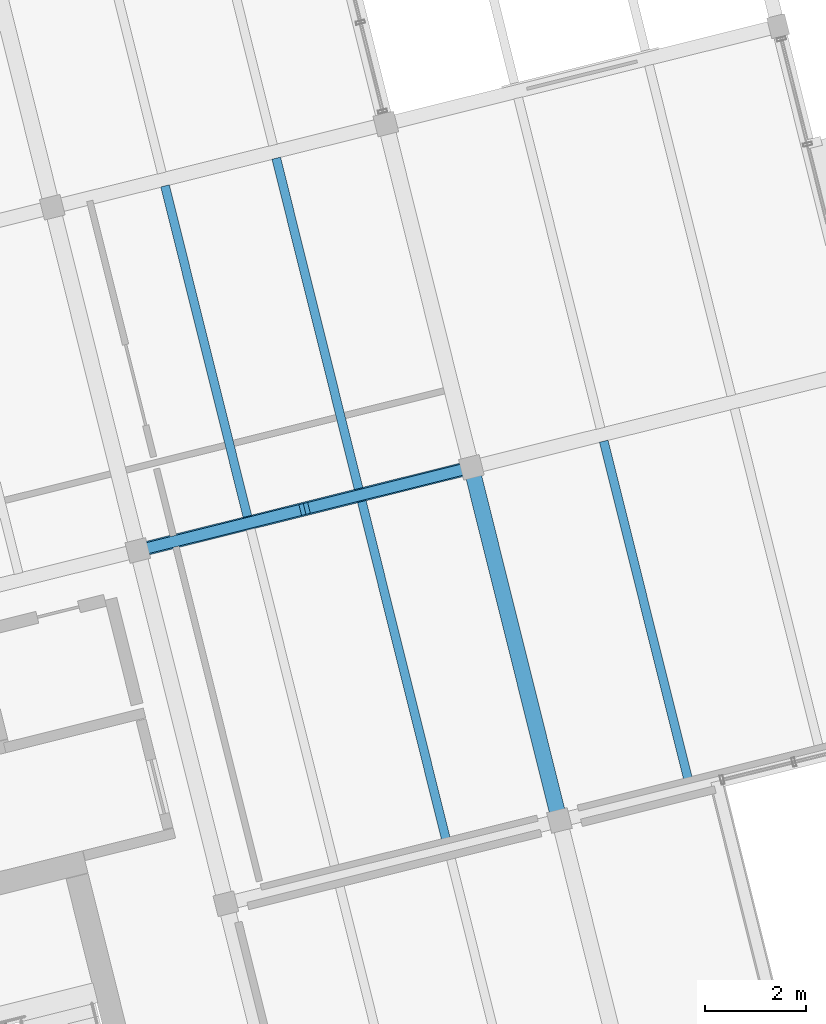
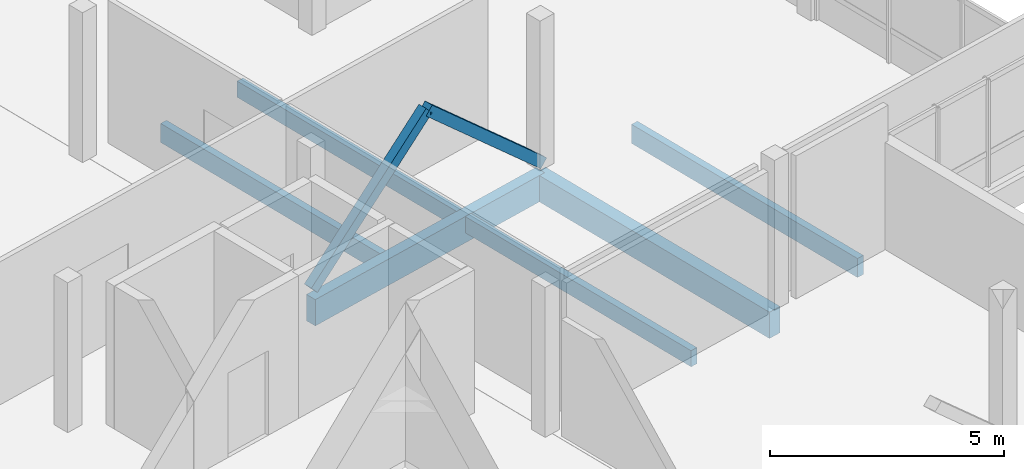
# One storey, part 14 of 27: 6 beams, 2 members.
"""IFC4 building model written with IfcOpenShell, lengths in metres."""

from ifc_helpers import new_model, si_unit, direction, frame, origin, origin_2d, place, context, subcontext, project, spatial, rectangle, extrude, material, material_profile, profile_set, type_object, element, save


model = new_model("IFC4")

# Units and contexts
model_context = context("Model", 3, precision=1e-05, world=origin(), true_north=direction((0.0, 1.0)))
body_context = subcontext(model_context, "Body", "Model", "MODEL_VIEW")
ifc_project = project(units=[si_unit("LENGTHUNIT", "METRE"), si_unit("AREAUNIT", "SQUARE_METRE"), si_unit("VOLUMEUNIT", "CUBIC_METRE"), si_unit("PLANEANGLEUNIT", "RADIAN"), si_unit("MASSUNIT", "GRAM", prefix="KILO")], contexts=[model_context])

# Site, building, storey
site_placement = place(None, origin())
site = spatial("IfcSite", under=ifc_project, at=site_placement, CompositionType="ELEMENT")
building_placement = place(site_placement, origin())
building = spatial("IfcBuilding", under=site, at=building_placement, Name="Meriwether Solvik Hall", CompositionType="ELEMENT")
storey_placement = place(building_placement, frame((0.0, 0.0, 33.89990234375)))
storey = spatial("IfcBuildingStorey", under=building, at=storey_placement, Name="L08", CompositionType="ELEMENT", Elevation=33.89990234375)

# Beams
ifc_material_1 = material(Name="Glulam Douglas-Fir 24F-V8 GL28h", Category="wood")
ifc_material_profile_1 = material_profile(ifc_material_1, rectangle(XDim=0.27294921875, YDim=0.68505859375, at=origin_2d()), Name="GLB-273X685")
ifc_profile_set_1 = profile_set([ifc_material_profile_1], Name="Glulam Douglas-Fir 24F-V8 GL28h")
beam_type_1 = type_object("IfcBeamType", Name="BM-GL-273X685", PredefinedType="BEAM", material=ifc_profile_set_1)
beam_1_placement = place(storey_placement, frame((91.852294921875, 68.640380859375, -0.5224609375), z_axis=(0.970296478685, 0.241918877831, 0.0), x_axis=(-0.241918877831, 0.970296478685, 0.0)))
element("IfcBeam", 1, at=beam_1_placement, inside=storey, type_object=beam_type_1, Name="Tower Girder TD:T5-T6 (L08)", PredefinedType="BEAM", context=body_context, shape_type="SweptSolid", body=[
    extrude(rectangle(XDim=0.27294921875, YDim=0.68505859375, at=origin_2d()), origin(), (0.0, 0.0, 1.0), 6.7998046875),
])
ifc_material_2 = material(Name="Glulam Douglas-Fir 24F-V8 GL28h", Category="wood")
ifc_material_profile_2 = material_profile(ifc_material_2, rectangle(XDim=0.31494140625, YDim=0.68505859375, at=origin_2d()), Name="GLB-315X685")
ifc_profile_set_2 = profile_set([ifc_material_profile_2], Name="Glulam Douglas-Fir 24F-V8 GL28h")
beam_type_2 = type_object("IfcBeamType", Name="BM-GL-315X685", PredefinedType="BEAM", material=ifc_profile_set_2)
beam_2_placement = place(storey_placement, frame((100.192138671875, 63.29931640625, -0.5224609375), z_axis=(-0.241937193493, 0.970291911955, 0.0), x_axis=(-0.970291911955, -0.241937193493, 0.0)))
element("IfcBeam", 2, at=beam_2_placement, inside=storey, type_object=beam_type_2, Name="Tower Girder T6:TC-TD (L08)", PredefinedType="BEAM", context=body_context, shape_type="SweptSolid", body=[
    extrude(rectangle(XDim=0.31494140625, YDim=0.68505859375, at=origin_2d()), origin(), (0.0, 0.0, 1.0), 7.199951171875),
])
ifc_material_3 = material(Name="Glulam Douglas-Fir 24F-V8 GL28h", Category="wood")
ifc_material_profile_3 = material_profile(ifc_material_3, rectangle(XDim=0.175048828125, YDim=0.419921875, at=origin_2d()), Name="GLJ-175X420")
ifc_profile_set_3 = profile_set([ifc_material_profile_3], Name="Glulam Douglas-Fir 24F-V8 GL28h")
beam_type_3 = type_object("IfcBeamType", Name="JST-GL-175X420", PredefinedType="JOIST", material=ifc_profile_set_3)
beam_3_placement = place(storey_placement, frame((97.9609375, 62.87841796875, -0.389892578125), z_axis=(-0.241922788949, 0.970295503539, 0.0), x_axis=(-0.970295503539, -0.241922788949, 0.0)))
element("IfcBeam", 3, at=beam_3_placement, inside=storey, type_object=beam_type_3, Name="Glulam Floor Joist T5/TC-J2 (L08)", PredefinedType="JOIST", context=body_context, shape_type="SweptSolid", body=[
    extrude(rectangle(XDim=0.175048828125, YDim=0.419921875, at=origin_2d()), origin(), (0.0, 0.0, 1.0), 6.93701171875),
])
beam_4_placement = place(storey_placement, frame((96.218994140625, 69.86474609375, -0.389892578125), z_axis=(-0.241896058636, 0.970302167789, 0.0), x_axis=(-0.970302167789, -0.241896058636, 0.0)))
element("IfcBeam", 4, at=beam_4_placement, inside=storey, type_object=beam_type_3, Name="Glulam Floor Joist T5/TD-J2 (L08)", PredefinedType="JOIST", context=body_context, shape_type="SweptSolid", body=[
    extrude(rectangle(XDim=0.175048828125, YDim=0.419921875, at=origin_2d()), origin(), (0.0, 0.0, 1.0), 6.73681640625),
])
ifc_material_4 = material(Name="Glulam Douglas-Fir 24F-V8 GL28h", Category="wood")
ifc_material_profile_4 = material_profile(ifc_material_4, rectangle(XDim=0.175048828125, YDim=0.4951171875, at=origin_2d()), Name="GLJ-175X495")
ifc_profile_set_4 = profile_set([ifc_material_profile_4], Name="Glulam Douglas-Fir 24F-V8 GL28h")
beam_type_4 = type_object("IfcBeamType", Name="JST-GL-175X495", PredefinedType="JOIST", material=ifc_profile_set_4)
beam_5_placement = place(storey_placement, frame((94.019775390625, 69.31640625, -0.427490234375), z_axis=(-0.241930176813, 0.9702936615, 0.0), x_axis=(-0.9702936615, -0.241930176813, 0.0)))
element("IfcBeam", 5, at=beam_5_placement, inside=storey, type_object=beam_type_4, Name="Glulam Floor Joist T5/TD-J1 (L08)", PredefinedType="JOIST", context=body_context, shape_type="SweptSolid", body=[
    extrude(rectangle(XDim=0.175048828125, YDim=0.4951171875, at=origin_2d()), origin(), (0.0, 0.0, 1.0), 6.737060546875),
])
beam_6_placement = place(storey_placement, frame((102.747802734375, 64.072021484375, -0.427490234375), z_axis=(-0.241922788949, 0.970295503539, 0.0), x_axis=(-0.970295503539, -0.241922788949, 0.0)))
element("IfcBeam", 6, at=beam_6_placement, inside=storey, type_object=beam_type_4, Name="Glulam Floor Joist T6/TC-J1 (L08)", PredefinedType="JOIST", context=body_context, shape_type="SweptSolid", body=[
    extrude(rectangle(XDim=0.175048828125, YDim=0.4951171875, at=origin_2d()), origin(), (0.0, 0.0, 1.0), 6.93701171875),
])

# Members
ifc_material_5 = material(Name="Glulam Douglas-Fir 24F-V8 GL28h", Category="wood")
ifc_material_profile_5 = material_profile(ifc_material_5, rectangle(XDim=0.221923828125, YDim=0.26708984375, at=origin_2d()), Name="GLM-222X267")
ifc_profile_set_5 = profile_set([ifc_material_profile_5], Name="Glulam Douglas-Fir 24F-V8 GL28h")
member_type = type_object("IfcMemberType", Name="MEM-BR-GL222", PredefinedType="BRACE", material=ifc_profile_set_5)
member_1_placement = place(storey_placement, frame((91.852294921875, 68.640380859375, 0.050048828125), z_axis=(0.724906074765, 0.180730301627, 0.664716285977), x_axis=(-0.24191045034, 0.970298579828, 0.0)))
element("IfcMember", 7, at=member_1_placement, inside=storey, type_object=member_type, Name="Tower Chevron Brace L08-B4A", PredefinedType="BRACE", context=body_context, shape_type="SweptSolid", body=[
    extrude(rectangle(XDim=0.221923828125, YDim=0.26708984375, at=origin_2d()), origin(), (0.0, 0.0, 1.0), 4.551025390625),
])
member_2_placement = place(storey_placement, frame((98.4501953125, 70.285400390625, 0.050048828125), z_axis=(-0.724880618086, -0.180737329953, 0.664742135783), x_axis=(0.241927305891, -0.970294377323, 0.0)))
element("IfcMember", 8, at=member_2_placement, inside=storey, type_object=member_type, Name="Tower Chevron Brace L08-B4B", PredefinedType="BRACE", context=body_context, shape_type="SweptSolid", body=[
    extrude(rectangle(XDim=0.221923828125, YDim=0.26708984375, at=origin_2d()), origin(), (0.0, 0.0, 1.0), 4.55078125),
])

save(model, "model.ifc")
